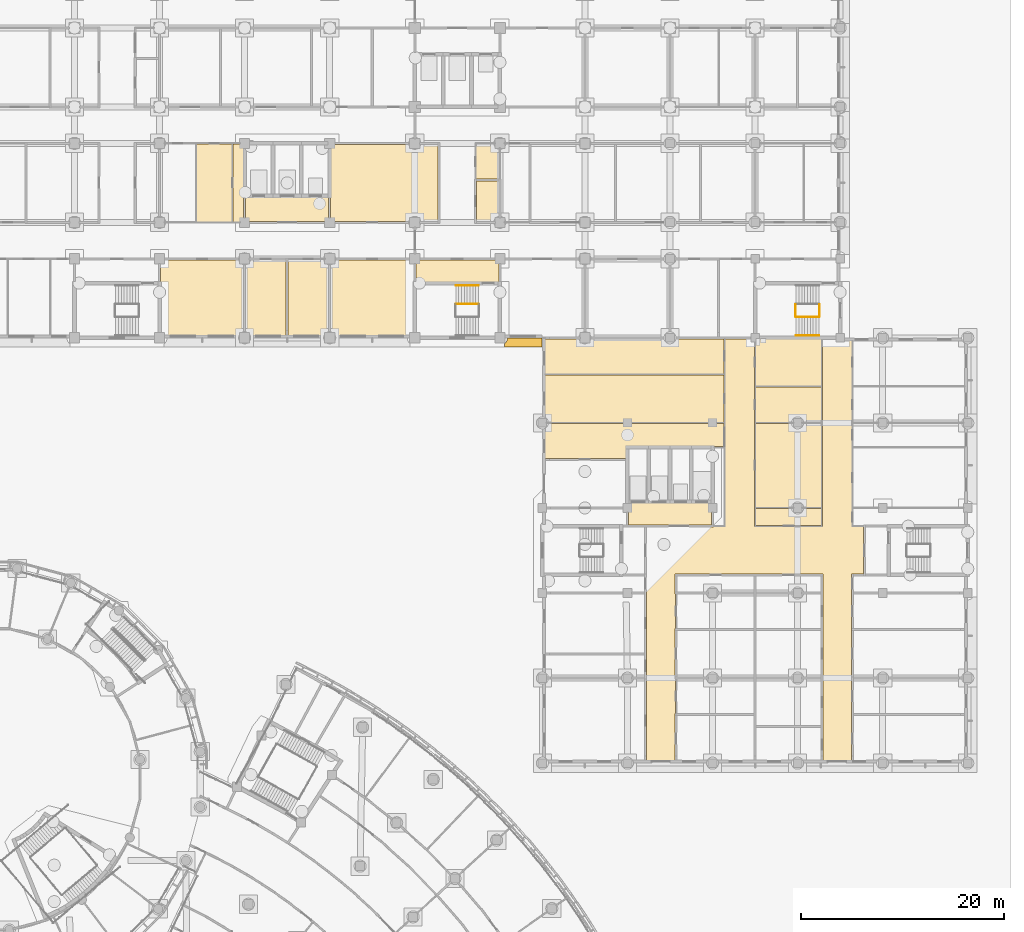
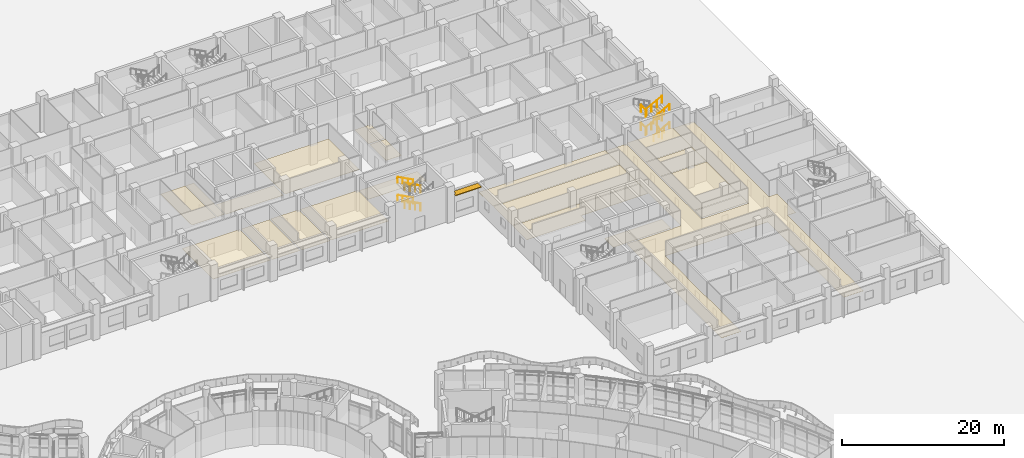
# One storey, part 137 of 146: 20 coverings, 12 railings, 1 shading device.
"""IFC4 building model written with IfcOpenShell, lengths in metres."""

from ifc_helpers import new_model, si_unit, direction, frame, origin, origin_2d, place, context, subcontext, project, spatial, polyline, circle, outline, extrude, material, layer, layer_set, type_object, element, save


model = new_model("IFC4")

# Units and contexts
model_context = context("Model", 3, precision=1e-05, world=origin(), true_north=direction((0.0, 1.0)))
body_context = subcontext(model_context, "Body", "Model", "MODEL_VIEW")
ifc_project = project(units=[si_unit("LENGTHUNIT", "METRE"), si_unit("AREAUNIT", "SQUARE_METRE"), si_unit("VOLUMEUNIT", "CUBIC_METRE"), si_unit("PLANEANGLEUNIT", "RADIAN"), si_unit("MASSUNIT", "GRAM", prefix="KILO")], contexts=[model_context])

# Site, building, storey
site_placement = place(None, origin())
site = spatial("IfcSite", under=ifc_project, at=site_placement, CompositionType="ELEMENT")
building_placement = place(site_placement, origin())
building = spatial("IfcBuilding", under=site, at=building_placement, Name="Bougainvillea Quay General Hospital", CompositionType="ELEMENT")
storey_placement = place(building_placement, origin())
storey = spatial("IfcBuildingStorey", under=building, at=storey_placement, Name="L00", CompositionType="ELEMENT", Elevation=0.0)

# Railings
ifc_material_1 = material(Name="Stainless steel 304 balustrade", Category="steel")
railing_type_1 = type_object("IfcRailingType", Name="Stair guard 1100", PredefinedType="GUARDRAIL", material=ifc_material_1)
railing_1_placement = place(storey_placement, frame((188.81005859375, 120.89990234375, 1.35009765625)))
element("IfcRailing", 1, at=railing_1_placement, inside=storey, type_object=railing_type_1, Name="L00 ST-D4 stair guard 2", PredefinedType="GUARDRAIL", context=body_context, shape_type="SweptSolid", body=[
    extrude(circle(Radius=0.02392578125, at=origin_2d()), frame((0.0, 0.0, 1.076171875), z_axis=(0.0, -1.0, 0.0), x_axis=(1.0, 0.0, 0.0)), (0.0, 0.0, 1.0), 1.199951171875),
    extrude(circle(Radius=0.02099609375, at=origin_2d()), origin(), (0.0, 0.0, 1.0), 1.052001953125),
    extrude(circle(Radius=0.02099609375, at=origin_2d()), frame((0.0, -1.199951171875, 0.0)), (0.0, 0.0, 1.0), 1.052001953125),
])
railing_2_placement = place(storey_placement, frame((188.860107421875, 119.64990234375, 1.5)))
element("IfcRailing", 2, at=railing_2_placement, inside=storey, type_object=railing_type_1, Name="L00 ST-D4 stair guard 3", PredefinedType="GUARDRAIL", context=body_context, shape_type="SweptSolid", body=[
    extrude(circle(Radius=0.02392578125, at=origin_2d()), frame((0.0, 0.0, 1.076171875), z_axis=(0.881487111273, 0.0, 0.472208081951), x_axis=(0.0, 1.0, 0.0)), (0.0, 0.0, 1.0), 2.541259765625),
    extrude(circle(Radius=0.02099609375, at=origin_2d()), origin(), (0.0, 0.0, 1.0), 1.052001953125),
    extrude(circle(Radius=0.02099609375, at=origin_2d()), frame((0.74658203125, 0.0, 0.39990234375)), (0.0, 0.0, 1.0), 1.052001953125),
    extrude(circle(Radius=0.02099609375, at=origin_2d()), frame((1.493408203125, 0.0, 0.800048828125)), (0.0, 0.0, 1.0), 1.052001953125),
    extrude(circle(Radius=0.02099609375, at=origin_2d()), frame((2.239990234375, 0.0, 1.199951171875)), (0.0, 0.0, 1.0), 1.052001953125),
])
for number, where, name in (
    (3, (191.14990234375, 120.89990234375, 2.699951171875), "L00 ST-D4 stair guard 4"),
    (4, (188.81005859375, 120.89990234375, 4.050048828125), "L00 ST-D4 stair guard 6"),
):
    element("IfcRailing", number, at=place(storey_placement, frame(where)), inside=storey, type_object=railing_type_1, Name=name, PredefinedType="GUARDRAIL", context=body_context, shape_type="SweptSolid", body=[
        extrude(circle(Radius=0.02392578125, at=origin_2d()), frame((0.0, 0.0, 1.076171875), z_axis=(0.0, -1.0, 0.0), x_axis=(1.0, 0.0, 0.0)), (0.0, 0.0, 1.0), 1.199951171875),
        extrude(circle(Radius=0.02099609375, at=origin_2d()), origin(), (0.0, 0.0, 1.0), 1.052001953125),
        extrude(circle(Radius=0.02099609375, at=origin_2d()), frame((0.0, -1.199951171875, 0.0)), (0.0, 0.0, 1.0), 1.052001953125),
    ])
railing_3_placement = place(storey_placement, frame((188.860107421875, 119.64990234375, 4.199951171875)))
element("IfcRailing", 5, at=railing_3_placement, inside=storey, type_object=railing_type_1, Name="L00 ST-D4 stair guard 7", PredefinedType="GUARDRAIL", context=body_context, shape_type="SweptSolid", body=[
    extrude(circle(Radius=0.02392578125, at=origin_2d()), frame((0.0, 0.0, 1.076171875), z_axis=(0.881487111273, 0.0, 0.472208081951), x_axis=(0.0, 1.0, 0.0)), (0.0, 0.0, 1.0), 2.541259765625),
    extrude(circle(Radius=0.02099609375, at=origin_2d()), origin(), (0.0, 0.0, 1.0), 1.052001953125),
    extrude(circle(Radius=0.02099609375, at=origin_2d()), frame((0.74658203125, 0.0, 0.39990234375)), (0.0, 0.0, 1.0), 1.052001953125),
    extrude(circle(Radius=0.02099609375, at=origin_2d()), frame((1.493408203125, 0.0, 0.800048828125)), (0.0, 0.0, 1.0), 1.052001953125),
    extrude(circle(Radius=0.02099609375, at=origin_2d()), frame((2.239990234375, 0.0, 1.199951171875)), (0.0, 0.0, 1.0), 1.052001953125),
])
railing_4_placement = place(storey_placement, frame((191.14990234375, 120.89990234375, 0.0)))
element("IfcRailing", 6, at=railing_4_placement, inside=storey, type_object=railing_type_1, Name="L00 ST-D4 stair guard 8", PredefinedType="GUARDRAIL", context=body_context, shape_type="SweptSolid", body=[
    extrude(circle(Radius=0.02392578125, at=origin_2d()), frame((0.0, 0.0, 1.076171875), z_axis=(0.0, -1.0, 0.0), x_axis=(1.0, 0.0, 0.0)), (0.0, 0.0, 1.0), 1.199951171875),
    extrude(circle(Radius=0.02099609375, at=origin_2d()), origin(), (0.0, 0.0, 1.0), 1.052001953125),
    extrude(circle(Radius=0.02099609375, at=origin_2d()), frame((0.0, -1.199951171875, 0.0)), (0.0, 0.0, 1.0), 1.052001953125),
])
railing_5_placement = place(storey_placement, frame((157.5, 120.949951171875, 0.14990234375)))
element("IfcRailing", 7, at=railing_5_placement, inside=storey, type_object=railing_type_1, Name="L00 ST-B4 stair guard 1", PredefinedType="GUARDRAIL", context=body_context, shape_type="SweptSolid", body=[
    extrude(circle(Radius=0.02392578125, at=origin_2d()), frame((0.0, 0.0, 1.076171875), z_axis=(-0.881447119201, 0.0, 0.472282728937), x_axis=(0.0, -1.0, 0.0)), (0.0, 0.0, 1.0), 2.541259765625),
    extrude(circle(Radius=0.02099609375, at=origin_2d()), origin(), (0.0, 0.0, 1.0), 1.052001953125),
    extrude(circle(Radius=0.02099609375, at=origin_2d()), frame((-0.74658203125, 0.0, 0.400146484375)), (0.0, 0.0, 1.0), 1.052001953125),
    extrude(circle(Radius=0.02099609375, at=origin_2d()), frame((-1.493408203125, 0.0, 0.800048828125)), (0.0, 0.0, 1.0), 1.052001953125),
    extrude(circle(Radius=0.02099609375, at=origin_2d()), frame((-2.239990234375, 0.0, 1.2001953125)), (0.0, 0.0, 1.0), 1.052001953125),
])
railing_6_placement = place(storey_placement, frame((157.5, 120.949951171875, 2.85009765625)))
element("IfcRailing", 8, at=railing_6_placement, inside=storey, type_object=railing_type_1, Name="L00 ST-B4 stair guard 5", PredefinedType="GUARDRAIL", context=body_context, shape_type="SweptSolid", body=[
    extrude(circle(Radius=0.02392578125, at=origin_2d()), frame((0.0, 0.0, 1.076171875), z_axis=(-0.881487111273, 0.0, 0.472208081951), x_axis=(0.0, -1.0, 0.0)), (0.0, 0.0, 1.0), 2.541259765625),
    extrude(circle(Radius=0.02099609375, at=origin_2d()), origin(), (0.0, 0.0, 1.0), 1.052001953125),
    extrude(circle(Radius=0.02099609375, at=origin_2d()), frame((-0.74658203125, 0.0, 0.39990234375)), (0.0, 0.0, 1.0), 1.052001953125),
    extrude(circle(Radius=0.02099609375, at=origin_2d()), frame((-1.493408203125, 0.0, 0.800048828125)), (0.0, 0.0, 1.0), 1.052001953125),
    extrude(circle(Radius=0.02099609375, at=origin_2d()), frame((-2.239990234375, 0.0, 1.199951171875)), (0.0, 0.0, 1.0), 1.052001953125),
])
ifc_material_2 = material(Name="Stainless steel 304 handrail", Category="steel")
railing_type_2 = type_object("IfcRailingType", Name="Stair handrail 900", PredefinedType="HANDRAIL", material=ifc_material_2)
for number, where, name in (
    (9, (188.860107421875, 117.824951171875, 1.5), "L00 ST-D4 stair handrail 2"),
    (10, (188.860107421875, 117.824951171875, 4.199951171875), "L00 ST-D4 stair handrail 4"),
):
    element("IfcRailing", number, at=place(storey_placement, frame(where)), inside=storey, type_object=railing_type_2, Name=name, PredefinedType="HANDRAIL", context=body_context, shape_type="SweptSolid", body=[
        extrude(circle(Radius=0.02392578125, at=origin_2d()), frame((0.0, 0.0, 0.8759765625), z_axis=(0.881487111273, 0.0, 0.472208081951), x_axis=(0.0, 1.0, 0.0)), (0.0, 0.0, 1.0), 2.541259765625),
        extrude(circle(Radius=0.02099609375, at=origin_2d()), origin(), (0.0, 0.0, 1.0), 0.851806640625),
        extrude(circle(Radius=0.02099609375, at=origin_2d()), frame((0.74658203125, 0.0, 0.39990234375)), (0.0, 0.0, 1.0), 0.851806640625),
        extrude(circle(Radius=0.02099609375, at=origin_2d()), frame((1.493408203125, 0.0, 0.800048828125)), (0.0, 0.0, 1.0), 0.851806640625),
        extrude(circle(Radius=0.02099609375, at=origin_2d()), frame((2.239990234375, 0.0, 1.199951171875)), (0.0, 0.0, 1.0), 0.851806640625),
    ])
railing_7_placement = place(storey_placement, frame((157.5, 122.77490234375, 0.14990234375)))
element("IfcRailing", 11, at=railing_7_placement, inside=storey, type_object=railing_type_2, Name="L00 ST-B4 stair handrail 1", PredefinedType="HANDRAIL", context=body_context, shape_type="SweptSolid", body=[
    extrude(circle(Radius=0.02392578125, at=origin_2d()), frame((0.0, 0.0, 0.8759765625), z_axis=(-0.881447119201, 0.0, 0.472282728937), x_axis=(0.0, -1.0, 0.0)), (0.0, 0.0, 1.0), 2.541259765625),
    extrude(circle(Radius=0.02099609375, at=origin_2d()), origin(), (0.0, 0.0, 1.0), 0.851806640625),
    extrude(circle(Radius=0.02099609375, at=origin_2d()), frame((-0.74658203125, 0.0, 0.400146484375)), (0.0, 0.0, 1.0), 0.851806640625),
    extrude(circle(Radius=0.02099609375, at=origin_2d()), frame((-1.493408203125, 0.0, 0.800048828125)), (0.0, 0.0, 1.0), 0.851806640625),
    extrude(circle(Radius=0.02099609375, at=origin_2d()), frame((-2.239990234375, 0.0, 1.2001953125)), (0.0, 0.0, 1.0), 0.851806640625),
])
railing_8_placement = place(storey_placement, frame((157.5, 122.77490234375, 2.85009765625)))
element("IfcRailing", 12, at=railing_8_placement, inside=storey, type_object=railing_type_2, Name="L00 ST-B4 stair handrail 3", PredefinedType="HANDRAIL", context=body_context, shape_type="SweptSolid", body=[
    extrude(circle(Radius=0.02392578125, at=origin_2d()), frame((0.0, 0.0, 0.8759765625), z_axis=(-0.881487111273, 0.0, 0.472208081951), x_axis=(0.0, -1.0, 0.0)), (0.0, 0.0, 1.0), 2.541259765625),
    extrude(circle(Radius=0.02099609375, at=origin_2d()), origin(), (0.0, 0.0, 1.0), 0.851806640625),
    extrude(circle(Radius=0.02099609375, at=origin_2d()), frame((-0.74658203125, 0.0, 0.39990234375)), (0.0, 0.0, 1.0), 0.851806640625),
    extrude(circle(Radius=0.02099609375, at=origin_2d()), frame((-1.493408203125, 0.0, 0.800048828125)), (0.0, 0.0, 1.0), 0.851806640625),
    extrude(circle(Radius=0.02099609375, at=origin_2d()), frame((-2.239990234375, 0.0, 1.199951171875)), (0.0, 0.0, 1.0), 0.851806640625),
])

# Shading device
ifc_material_3 = material(Name="Powder-coated aluminium canopy soffit and fascia, white", Category="aluminium")
ifc_layer_1 = layer(ifc_material_3, 0.10009765625)
ifc_layer_set_1 = layer_set([ifc_layer_1], Name="Powder-coated aluminium canopy soffit and fascia, white")
shading_device_type = type_object("IfcShadingDeviceType", Name="Sunshade 100", PredefinedType="USERDEFINED", material=ifc_layer_set_1)
shading_device_placement = place(storey_placement, frame((0.0, 0.0, 4.050048828125)))
element("IfcShadingDevice", 13, at=shading_device_placement, inside=storey, type_object=shading_device_type, Name="Sunshade 0", ObjectType="Sunshade", PredefinedType="USERDEFINED", context=body_context, shape_type="SweptSolid", body=[
    extrude(outline(polyline([(163.739990234375, 117.60009765625), (160.35009765625, 117.60009765625), (160.335693359375, 117.45361328125), (160.29296875, 117.31298828125), (160.261474609375, 117.246337890625), (160.1796875, 117.124267578125), (160.13037109375, 117.069580078125), (160.050048828125, 117.001220703125), (160.050048828125, 116.699951171875), (163.739990234375, 116.699951171875), (163.739990234375, 117.60009765625)])), origin(), (0.0, 0.0, 1.0), 0.099853515625),
])

# Coverings
ifc_material_4 = material(Name="Mineral fibre ceiling tile")
ifc_layer_2 = layer(ifc_material_4, 0.030029296875)
ifc_layer_set_2 = layer_set([ifc_layer_2], Name="Mineral fibre ceiling tile")
covering_type = type_object("IfcCoveringType", Name="Suspended ceiling mineral fibre tile", PredefinedType="CEILING", material=ifc_layer_set_2)
covering_1_placement = place(storey_placement, frame((0.0, 0.0, 2.699951171875)))
element("IfcCovering", 14, at=covering_1_placement, inside=storey, type_object=covering_type, Name="Ceiling Corridor V3-2", PredefinedType="CEILING", context=body_context, shape_type="SweptSolid", body=[
    extrude(outline(polyline([(194.300048828125, 75.60009765625), (194.300048828125, 94.300048828125), (195.5, 94.300048828125), (195.5, 98.949951171875), (194.35009765625, 98.949951171875), (194.35009765625, 117.550048828125), (191.449951171875, 117.550048828125), (191.449951171875, 98.949951171875), (184.75, 98.949951171875), (184.75, 117.5), (181.85009765625, 117.5), (181.85009765625, 98.949951171875), (180.699951171875, 98.949951171875), (180.699951171875, 98.89990234375), (174.10009765625, 98.89990234375), (174.10009765625, 75.60009765625), (176.89990234375, 75.60009765625), (176.89990234375, 80.5), (176.949951171875, 80.5), (176.949951171875, 83.89990234375), (176.89990234375, 83.89990234375), (176.89990234375, 88.89990234375), (176.949951171875, 88.89990234375), (176.949951171875, 92.300048828125), (176.89990234375, 92.300048828125), (176.89990234375, 94.300048828125), (191.5, 94.300048828125), (191.5, 75.60009765625), (194.300048828125, 75.60009765625)])), origin(), (0.0, 0.0, 1.0), 0.030029296875),
])
covering_2_placement = place(storey_placement, frame((0.0, 0.0, 2.699951171875)))
element("IfcCovering", 15, at=covering_2_placement, inside=storey, type_object=covering_type, Name="Ceiling Fire Lift Lobby LB-B2", PredefinedType="CEILING", context=body_context, shape_type="SweptSolid", body=[
    extrude(outline(polyline([(142.699951171875, 129.10009765625), (142.699951171875, 131.5), (134.5, 131.5), (134.5, 129.10009765625), (142.699951171875, 129.10009765625)])), origin(), (0.0, 0.0, 1.0), 0.030029296875),
])
covering_3_placement = place(storey_placement, frame((0.0, 0.0, 2.699951171875)))
element("IfcCovering", 16, at=covering_3_placement, inside=storey, type_object=covering_type, Name="Ceiling Lift Lobby LB-T1", PredefinedType="CEILING", context=body_context, shape_type="SweptSolid", body=[
    extrude(outline(polyline([(180.5, 101.300048828125), (172.300048828125, 101.300048828125), (172.300048828125, 99.10009765625), (180.5, 99.10009765625), (180.5, 101.300048828125)])), origin(), (0.0, 0.0, 1.0), 0.030029296875),
])
covering_4_placement = place(storey_placement, frame((0.0, 0.0, 2.699951171875)))
element("IfcCovering", 17, at=covering_4_placement, inside=storey, type_object=covering_type, Name="Ceiling Smoke-proof Stair Vestibule ST-B4", PredefinedType="CEILING", context=body_context, shape_type="SweptSolid", body=[
    extrude(outline(polyline([(159.5, 125.300048828125), (151.300048828125, 125.300048828125), (151.300048828125, 123.10009765625), (159.5, 123.10009765625), (159.5, 125.300048828125)])), origin(), (0.0, 0.0, 1.0), 0.030029296875),
])
covering_5_placement = place(storey_placement, frame((0.0, 0.0, 2.800048828125)))
element("IfcCovering", 18, at=covering_5_placement, inside=storey, type_object=covering_type, Name="Ceiling Theatre Clean Goods Lobby", PredefinedType="CEILING", context=body_context, shape_type="SweptSolid", body=[
    extrude(outline(polyline([(163.800048828125, 105.697998046875), (172.14990234375, 105.697998046875), (172.14990234375, 106.85009765625), (181.75, 106.85009765625), (181.75, 109.14794921875), (163.800048828125, 109.14794921875), (163.800048828125, 105.697998046875)])), origin(), (0.0, 0.0, 1.0), 0.030029296875),
])
covering_6_placement = place(storey_placement, frame((0.0, 0.0, 2.800048828125)))
element("IfcCovering", 19, at=covering_6_placement, inside=storey, type_object=covering_type, Name="Ceiling Theatre Trolley Park", PredefinedType="CEILING", context=body_context, shape_type="SweptSolid", body=[
    extrude(outline(polyline([(163.800048828125, 109.248046875), (181.75, 109.248046875), (181.75, 113.947998046875), (163.800048828125, 113.947998046875), (163.800048828125, 109.248046875)])), origin(), (0.0, 0.0, 1.0), 0.030029296875),
])
covering_7_placement = place(storey_placement, frame((0.0, 0.0, 2.800048828125)))
element("IfcCovering", 20, at=covering_7_placement, inside=storey, type_object=covering_type, Name="Ceiling Theatre Dirty Utility", PredefinedType="CEILING", context=body_context, shape_type="SweptSolid", body=[
    extrude(outline(polyline([(163.800048828125, 114.048095703125), (181.75, 114.048095703125), (181.75, 117.5), (163.800048828125, 117.5), (163.800048828125, 114.048095703125)])), origin(), (0.0, 0.0, 1.0), 0.030029296875),
])
covering_8_placement = place(storey_placement, frame((0.0, 0.0, 2.800048828125)))
element("IfcCovering", 21, at=covering_8_placement, inside=storey, type_object=covering_type, Name="Ceiling Theatre Staff Changing Room (Women)", PredefinedType="CEILING", context=body_context, shape_type="SweptSolid", body=[
    extrude(outline(polyline([(191.35009765625, 99.050048828125), (191.35009765625, 100.75), (184.85009765625, 100.75), (184.85009765625, 99.050048828125), (191.35009765625, 99.050048828125)])), origin(), (0.0, 0.0, 1.0), 0.030029296875),
])
covering_9_placement = place(storey_placement, frame((0.0, 0.0, 2.800048828125)))
element("IfcCovering", 22, at=covering_9_placement, inside=storey, type_object=covering_type, Name="Ceiling Theatre Staff Changing Room (Men)", PredefinedType="CEILING", context=body_context, shape_type="SweptSolid", body=[
    extrude(outline(polyline([(184.85009765625, 100.85009765625), (191.35009765625, 100.85009765625), (191.35009765625, 109.14990234375), (184.85009765625, 109.14990234375), (184.85009765625, 100.85009765625)])), origin(), (0.0, 0.0, 1.0), 0.030029296875),
])
covering_10_placement = place(storey_placement, frame((0.0, 0.0, 2.800048828125)))
element("IfcCovering", 23, at=covering_10_placement, inside=storey, type_object=covering_type, Name="Ceiling Theatre Staff Shower Room 01", PredefinedType="CEILING", context=body_context, shape_type="SweptSolid", body=[
    extrude(outline(polyline([(191.35009765625, 109.25), (191.35009765625, 112.75), (184.85009765625, 112.75), (184.85009765625, 109.25), (191.35009765625, 109.25)])), origin(), (0.0, 0.0, 1.0), 0.030029296875),
])
covering_11_placement = place(storey_placement, frame((0.0, 0.0, 2.800048828125)))
element("IfcCovering", 24, at=covering_11_placement, inside=storey, type_object=covering_type, Name="Ceiling Theatre Staff WC 01", PredefinedType="CEILING", context=body_context, shape_type="SweptSolid", body=[
    extrude(outline(polyline([(191.35009765625, 112.85009765625), (191.35009765625, 117.550048828125), (184.85009765625, 117.550048828125), (184.85009765625, 112.85009765625), (191.35009765625, 112.85009765625)])), origin(), (0.0, 0.0, 1.0), 0.030029296875),
])
covering_12_placement = place(storey_placement, frame((0.0, 0.0, 2.800048828125)))
element("IfcCovering", 25, at=covering_12_placement, inside=storey, type_object=covering_type, Name="Ceiling Nuclear Medicine Gamma Camera Room", PredefinedType="CEILING", context=body_context, shape_type="SweptSolid", body=[
    extrude(outline(polyline([(126.10009765625, 117.697998046875), (134.300048828125, 117.697998046875), (134.300048828125, 125.300048828125), (126.10009765625, 125.300048828125), (126.10009765625, 117.697998046875)])), origin(), (0.0, 0.0, 1.0), 0.030029296875),
])
covering_13_placement = place(storey_placement, frame((0.0, 0.0, 2.800048828125)))
element("IfcCovering", 26, at=covering_13_placement, inside=storey, type_object=covering_type, Name="Ceiling Nuclear Medicine Hot Laboratory", PredefinedType="CEILING", context=body_context, shape_type="SweptSolid", body=[
    extrude(outline(polyline([(138.5, 117.697998046875), (138.5, 125.300048828125), (134.5, 125.300048828125), (134.5, 117.697998046875), (138.5, 117.697998046875)])), origin(), (0.0, 0.0, 1.0), 0.030029296875),
])
covering_14_placement = place(storey_placement, frame((0.0, 0.0, 2.800048828125)))
element("IfcCovering", 27, at=covering_14_placement, inside=storey, type_object=covering_type, Name="Ceiling Nuclear Medicine Injection Room", PredefinedType="CEILING", context=body_context, shape_type="SweptSolid", body=[
    extrude(outline(polyline([(138.699951171875, 125.35009765625), (138.699951171875, 117.64794921875), (142.699951171875, 117.64794921875), (142.699951171875, 125.35009765625), (138.699951171875, 125.35009765625)])), origin(), (0.0, 0.0, 1.0), 0.030029296875),
])
covering_15_placement = place(storey_placement, frame((0.0, 0.0, 2.800048828125)))
element("IfcCovering", 28, at=covering_15_placement, inside=storey, type_object=covering_type, Name="Ceiling PET-CT Scanner Room", PredefinedType="CEILING", context=body_context, shape_type="SweptSolid", body=[
    extrude(outline(polyline([(142.89990234375, 125.300048828125), (142.89990234375, 117.697998046875), (151.10009765625, 117.697998046875), (151.10009765625, 125.300048828125), (142.89990234375, 125.300048828125)])), origin(), (0.0, 0.0, 1.0), 0.030029296875),
])
covering_16_placement = place(storey_placement, frame((0.0, 0.0, 2.800048828125)))
element("IfcCovering", 29, at=covering_16_placement, inside=storey, type_object=covering_type, Name="Ceiling Interventional Scrub Room", PredefinedType="CEILING", context=body_context, shape_type="SweptSolid", body=[
    extrude(outline(polyline([(129.64990234375, 129.050048828125), (133.14990234375, 129.050048828125), (133.14990234375, 136.75), (129.64990234375, 136.75), (129.64990234375, 129.050048828125)])), origin(), (0.0, 0.0, 1.0), 0.030029296875),
])
covering_17_placement = place(storey_placement, frame((0.0, 0.0, 2.800048828125)))
element("IfcCovering", 30, at=covering_17_placement, inside=storey, type_object=covering_type, Name="Ceiling Interventional Recovery Bay Room 01", PredefinedType="CEILING", context=body_context, shape_type="SweptSolid", body=[
    extrude(outline(polyline([(134.35009765625, 131.699951171875), (134.35009765625, 136.75), (133.25, 136.75), (133.25, 129.050048828125), (134.300048828125, 129.050048828125), (134.300048828125, 131.699951171875), (134.35009765625, 131.699951171875)])), origin(), (0.0, 0.0, 1.0), 0.030029296875),
])
covering_18_placement = place(storey_placement, frame((0.0, 0.0, 2.800048828125)))
element("IfcCovering", 31, at=covering_18_placement, inside=storey, type_object=covering_type, Name="Ceiling Nuclear Medicine Gamma Camera Room", PredefinedType="CEILING", context=body_context, shape_type="SweptSolid", body=[
    extrude(outline(polyline([(153.5, 136.699951171875), (142.89990234375, 136.699951171875), (142.89990234375, 129.10009765625), (153.5, 129.10009765625), (153.5, 136.699951171875)])), origin(), (0.0, 0.0, 1.0), 0.030029296875),
])
covering_19_placement = place(storey_placement, frame((0.0, 0.0, 2.800048828125)))
element("IfcCovering", 32, at=covering_19_placement, inside=storey, type_object=covering_type, Name="Ceiling Nuclear Medicine Hot Laboratory", PredefinedType="CEILING", context=body_context, shape_type="SweptSolid", body=[
    extrude(outline(polyline([(159.5, 133.10009765625), (157.300048828125, 133.10009765625), (157.300048828125, 129.10009765625), (159.5, 129.10009765625), (159.5, 133.10009765625)])), origin(), (0.0, 0.0, 1.0), 0.030029296875),
])
covering_20_placement = place(storey_placement, frame((0.0, 0.0, 2.800048828125)))
element("IfcCovering", 33, at=covering_20_placement, inside=storey, type_object=covering_type, Name="Ceiling Nuclear Medicine Injection Room", PredefinedType="CEILING", context=body_context, shape_type="SweptSolid", body=[
    extrude(outline(polyline([(157.25, 136.75), (157.25, 133.300048828125), (159.550048828125, 133.300048828125), (159.550048828125, 136.75), (157.25, 136.75)])), origin(), (0.0, 0.0, 1.0), 0.030029296875),
])

save(model, "model.ifc")
